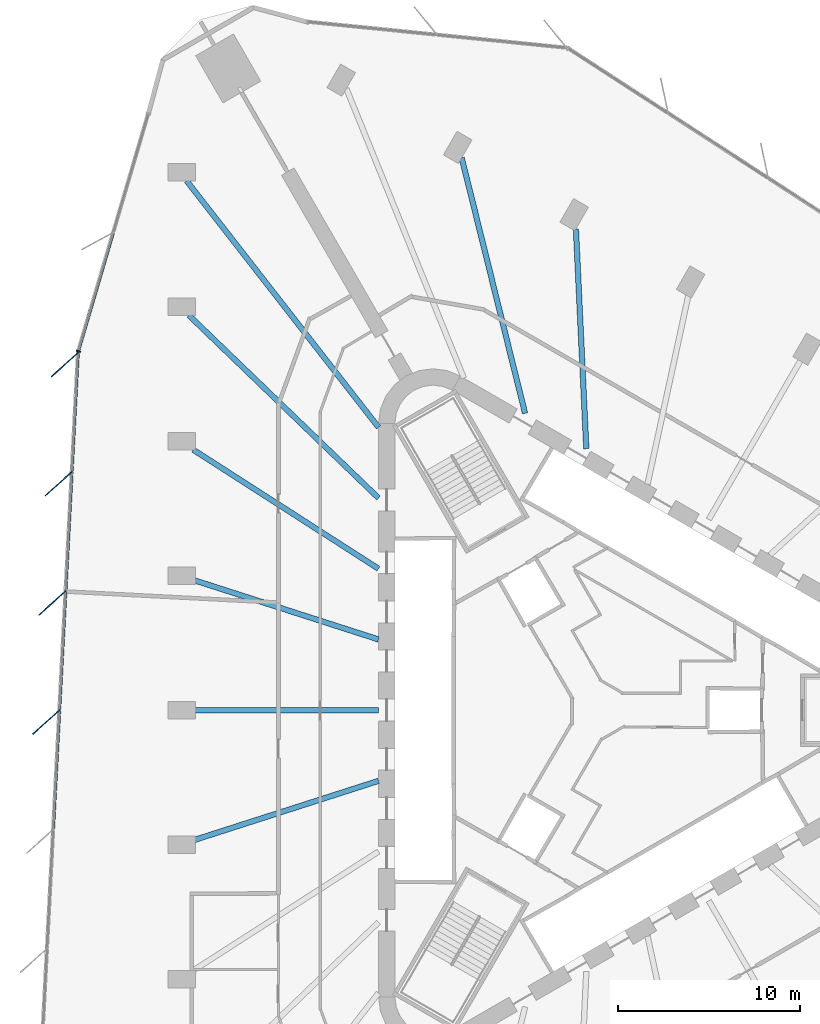
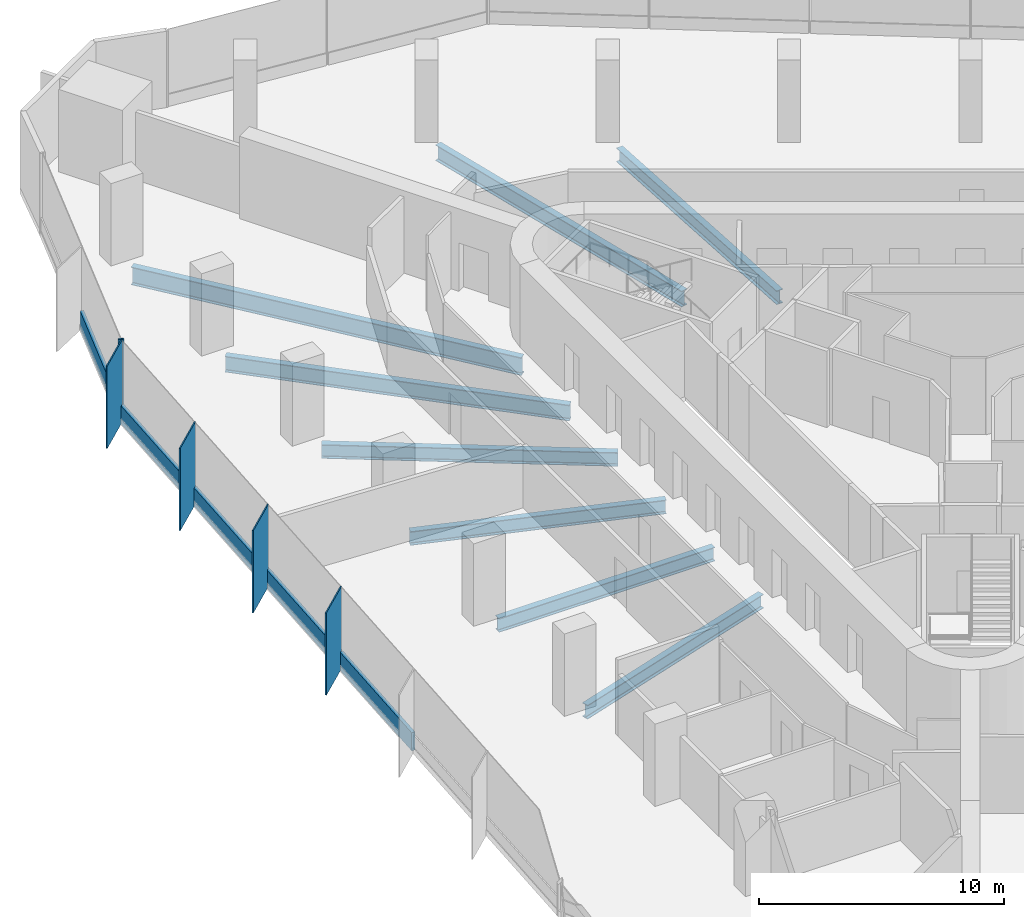
# One storey, part 4 of 14: 10 members, 8 beams, 2 elements without a shape of their own.
"""IFC4 building model written with IfcOpenShell, lengths in metres."""

from ifc_helpers import new_model, si_unit, direction, frame, origin, origin_2d, place, context, subcontext, project, spatial, rectangle, i_section, extrude, material, material_profile, profile_set, type_object, element, aggregate, save


model = new_model("IFC4")

# Units and contexts
model_context = context("Model", 3, precision=1e-05, world=origin(), true_north=direction((0.0, 1.0)))
body_context = subcontext(model_context, "Body", "Model", "MODEL_VIEW")
ifc_project = project(units=[si_unit("LENGTHUNIT", "METRE"), si_unit("AREAUNIT", "SQUARE_METRE"), si_unit("VOLUMEUNIT", "CUBIC_METRE"), si_unit("PLANEANGLEUNIT", "RADIAN"), si_unit("MASSUNIT", "GRAM", prefix="KILO")], contexts=[model_context])

# Site, building, storey
site_placement = place(None, origin())
site = spatial("IfcSite", under=ifc_project, at=site_placement, CompositionType="ELEMENT")
building_placement = place(site_placement, origin())
building = spatial("IfcBuilding", under=site, at=building_placement, Name="Tanit Gate Tower", CompositionType="ELEMENT")
storey_placement = place(building_placement, frame((0.0, 0.0, 107.0)))
storey = spatial("IfcBuildingStorey", under=building, at=storey_placement, Name="L22", CompositionType="ELEMENT", Elevation=107.0)

# Curtain wall, members
ifc_material_1 = material(Name="Aluminium bronze anodised and glass", Category="aluminium")
curtain_wall_type = type_object("IfcCurtainWallType", Name="Curtain wall typical low", PredefinedType="NOTDEFINED", material=ifc_material_1)
curtain_wall_1_placement = place(storey_placement, origin())
curtain_wall_1 = element("IfcCurtainWall", 1, at=curtain_wall_1_placement, inside=storey, type_object=curtain_wall_type, Name="Curtain wall L22 W2", PredefinedType="NOTDEFINED")
ifc_material_2 = material(Name="Aluminium bronze anodised", Category="aluminium")
ifc_material_profile_1 = material_profile(ifc_material_2, rectangle(XDim=2.0, YDim=0.055908203125, at=origin_2d()), Name="56x2000 bronze fin mullion")
ifc_profile_set_1 = profile_set([ifc_material_profile_1], Name="Aluminium bronze anodised")
member_type_1 = type_object("IfcMemberType", Name="FIN MULLION 56x2000 bronze", PredefinedType="MULLION", material=ifc_profile_set_1)
member_1_placement = place(storey_placement, frame((-29.337890625, 18.993408203125, -0.300048828125), z_axis=(0.0, 0.0, 1.0), x_axis=(0.742921658135, 0.669378375715, 0.0)))
member_1 = element("IfcMember", 2, at=member_1_placement, type_object=member_type_1, Name="Fin mullion L22 W2.1", PredefinedType="MULLION", context=body_context, shape_type="SweptSolid", body=[
    extrude(rectangle(XDim=2.0, YDim=0.055908203125, at=origin_2d()), origin(), (0.0, 0.0, 1.0), 4.10009765625),
])
member_2_placement = place(storey_placement, frame((-29.6787109375, 12.444580078125, -0.300048828125), z_axis=(0.0, 0.0, 1.0), x_axis=(0.742921658135, 0.669378375715, 0.0)))
member_2 = element("IfcMember", 3, at=member_2_placement, type_object=member_type_1, Name="Fin mullion L22 W2.2", PredefinedType="MULLION", context=body_context, shape_type="SweptSolid", body=[
    extrude(rectangle(XDim=2.0, YDim=0.055908203125, at=origin_2d()), origin(), (0.0, 0.0, 1.0), 4.10009765625),
])
member_3_placement = place(storey_placement, frame((-30.019775390625, 5.895751953125, -0.300048828125), z_axis=(0.0, 0.0, 1.0), x_axis=(0.742921658135, 0.669378375715, 0.0)))
member_3 = element("IfcMember", 4, at=member_3_placement, type_object=member_type_1, Name="Fin mullion L22 W2.3", PredefinedType="MULLION", context=body_context, shape_type="SweptSolid", body=[
    extrude(rectangle(XDim=2.0, YDim=0.055908203125, at=origin_2d()), origin(), (0.0, 0.0, 1.0), 4.10009765625),
])
member_4_placement = place(storey_placement, frame((-30.36083984375, -0.653076171875, -0.300048828125), z_axis=(0.0, 0.0, 1.0), x_axis=(0.742921658135, 0.669378375715, 0.0)))
member_4 = element("IfcMember", 5, at=member_4_placement, type_object=member_type_1, Name="Fin mullion L22 W2.4", PredefinedType="MULLION", context=body_context, shape_type="SweptSolid", body=[
    extrude(rectangle(XDim=2.0, YDim=0.055908203125, at=origin_2d()), origin(), (0.0, 0.0, 1.0), 4.10009765625),
])

# Curtain wall, member
curtain_wall_2_placement = place(storey_placement, origin())
curtain_wall_2 = element("IfcCurtainWall", 6, at=curtain_wall_2_placement, inside=storey, type_object=curtain_wall_type, Name="Curtain wall L22 W1", PredefinedType="NOTDEFINED")
ifc_material_3 = material(Name="Aluminium bronze anodised", Category="aluminium")
ifc_material_profile_2 = material_profile(ifc_material_3, rectangle(XDim=0.239990234375, YDim=0.080078125, at=origin_2d()), Name="80x240 bronze mullion")
ifc_profile_set_2 = profile_set([ifc_material_profile_2], Name="Aluminium bronze anodised")
member_type_2 = type_object("IfcMemberType", Name="Mullion 80x240 typical low", PredefinedType="MULLION", material=ifc_profile_set_2)
member_5_placement = place(storey_placement, frame((-28.598388671875, 19.72607421875, -0.300048828125), z_axis=(0.0, 0.0, 1.0), x_axis=(0.959260043832, -0.282524633098, 0.0)))
member_5 = element("IfcMember", 7, at=member_5_placement, type_object=member_type_2, Name="Mullion L22 W1.3", PredefinedType="MULLION", context=body_context, shape_type="SweptSolid", body=[
    extrude(rectangle(XDim=0.239990234375, YDim=0.080078125, at=origin_2d()), origin(), (0.0, 0.0, 1.0), 4.10009765625),
])

# Beams
ifc_material_4 = material(Name="Steel S355", Category="steel")
ifc_material_profile_3 = material_profile(ifc_material_4, i_section(OverallWidth=0.300048828125, OverallDepth=0.68994140625, WebThickness=0.014404296875, FlangeThickness=0.027099609375, FilletRadius=0.027099609375, at=origin_2d()), Name="HEA 700")
ifc_profile_set_3 = profile_set([ifc_material_profile_3], Name="Steel S355")
beam_type_1 = type_object("IfcBeamType", Name="RADIAL GIRDER HEA 700 S355", PredefinedType="BEAM", material=ifc_profile_set_3)
beam_1_placement = place(storey_placement, frame((-22.267822265625, -7.150634765625, -0.64501953125), z_axis=(0.952108228796, 0.305761215098, 0.0), x_axis=(-0.305761215098, 0.952108228796, 0.0)))
element("IfcBeam", 8, at=beam_1_placement, inside=storey, type_object=beam_type_1, Name="RADIAL GIRDER", PredefinedType="BEAM", context=body_context, shape_type="SweptSolid", body=[
    extrude(i_section(OverallWidth=0.300048828125, OverallDepth=0.68994140625, WebThickness=0.014404296875, FlangeThickness=0.027099609375, FilletRadius=0.027099609375, at=origin_2d()), origin(), (0.0, 0.0, 1.0), 10.677001953125),
])
for number, where, z_axis, x_axis, name in (
    (9, (-1.251708984375, 26.447509765625, -0.64501953125), (0.047276464158, -0.998881842831, 0.0), (0.998881842831, 0.047276464158, 0.0), "RADIAL GIRDER"),
    (10, (-22.2783203125, 14.307861328125, -0.64501953125), (0.841413200644, -0.540392288788, 0.0), (0.540392288788, 0.841413200644, 0.0), "RADIAL GIRDER"),
):
    element("IfcBeam", number, at=place(storey_placement, frame(where, z_axis=z_axis, x_axis=x_axis)), inside=storey, type_object=beam_type_1, Name=name, PredefinedType="BEAM", context=body_context, shape_type="SweptSolid", body=[
        extrude(i_section(OverallWidth=0.300048828125, OverallDepth=0.68994140625, WebThickness=0.014404296875, FlangeThickness=0.027099609375, FilletRadius=0.027099609375, at=origin_2d()), origin(), (0.0, 0.0, 1.0), 12.09423828125),
    ])
beam_2_placement = place(storey_placement, frame((-22.267822265625, 7.150634765625, -0.64501953125), z_axis=(0.952108228796, -0.305761215098, 0.0), x_axis=(0.305761215098, 0.952108228796, 0.0)))
element("IfcBeam", 11, at=beam_2_placement, inside=storey, type_object=beam_type_1, Name="RADIAL GIRDER", PredefinedType="BEAM", context=body_context, shape_type="SweptSolid", body=[
    extrude(i_section(OverallWidth=0.300048828125, OverallDepth=0.68994140625, WebThickness=0.014404296875, FlangeThickness=0.027099609375, FilletRadius=0.027099609375, at=origin_2d()), origin(), (0.0, 0.0, 1.0), 10.677001953125),
])
beam_3_placement = place(storey_placement, frame((-22.267822265625, 0.0, -0.64501953125), z_axis=(1.0, 0.0, 0.0), x_axis=(0.0, 1.0, 0.0)))
element("IfcBeam", 12, at=beam_3_placement, inside=storey, type_object=beam_type_1, Name="RADIAL GIRDER", PredefinedType="BEAM", context=body_context, shape_type="SweptSolid", body=[
    extrude(i_section(OverallWidth=0.300048828125, OverallDepth=0.68994140625, WebThickness=0.014404296875, FlangeThickness=0.027099609375, FilletRadius=0.027099609375, at=origin_2d()), origin(), (0.0, 0.0, 1.0), 10.165771484375),
])
ifc_material_5 = material(Name="Steel S355", Category="steel")
ifc_material_profile_4 = material_profile(ifc_material_5, i_section(OverallWidth=0.300048828125, OverallDepth=0.7900390625, WebThickness=0.014892578125, FlangeThickness=0.028076171875, FilletRadius=0.030029296875, at=origin_2d()), Name="HEA 800")
ifc_profile_set_4 = profile_set([ifc_material_profile_4], Name="Steel S355")
beam_type_2 = type_object("IfcBeamType", Name="RADIAL GIRDER HEA 800 S355", PredefinedType="BEAM", material=ifc_profile_set_4)
beam_4_placement = place(storey_placement, frame((-7.52978515625, 30.356689453125, -0.695068359375), z_axis=(0.240757007067, -0.970585423107, 0.0), x_axis=(0.970585423107, 0.240757007067, 0.0)))
element("IfcBeam", 13, at=beam_4_placement, inside=storey, type_object=beam_type_2, Name="RADIAL GIRDER", PredefinedType="BEAM", context=body_context, shape_type="SweptSolid", body=[
    extrude(i_section(OverallWidth=0.300048828125, OverallDepth=0.7900390625, WebThickness=0.014892578125, FlangeThickness=0.028076171875, FilletRadius=0.030029296875, at=origin_2d()), origin(), (0.0, 0.0, 1.0), 14.47265625),
])
beam_5_placement = place(storey_placement, frame((-22.52490234375, 21.69921875, -0.695068359375), z_axis=(0.720183780424, -0.693783339677, 0.0), x_axis=(0.693783339677, 0.720183780424, 0.0)))
element("IfcBeam", 14, at=beam_5_placement, inside=storey, type_object=beam_type_2, Name="RADIAL GIRDER", PredefinedType="BEAM", context=body_context, shape_type="SweptSolid", body=[
    extrude(i_section(OverallWidth=0.300048828125, OverallDepth=0.7900390625, WebThickness=0.014892578125, FlangeThickness=0.028076171875, FilletRadius=0.030029296875, at=origin_2d()), origin(), (0.0, 0.0, 1.0), 14.472412109375),
])
ifc_material_6 = material(Name="Steel S355", Category="steel")
ifc_material_profile_5 = material_profile(ifc_material_6, i_section(OverallWidth=0.300048828125, OverallDepth=0.889892578125, WebThickness=0.01611328125, FlangeThickness=0.030029296875, FilletRadius=0.030029296875, at=origin_2d()), Name="HEA 900")
ifc_profile_set_5 = profile_set([ifc_material_profile_5], Name="Steel S355")
beam_type_3 = type_object("IfcBeamType", Name="RADIAL GIRDER HEA 900 S355", PredefinedType="BEAM", material=ifc_profile_set_5)
beam_6_placement = place(storey_placement, frame((-22.648193359375, 29.0908203125, -0.7451171875), z_axis=(0.614312702857, -0.789062673752, 0.0), x_axis=(0.789062673752, 0.614312702857, 0.0)))
element("IfcBeam", 15, at=beam_6_placement, inside=storey, type_object=beam_type_3, Name="RADIAL GIRDER", PredefinedType="BEAM", context=body_context, shape_type="SweptSolid", body=[
    extrude(i_section(OverallWidth=0.300048828125, OverallDepth=0.889892578125, WebThickness=0.01611328125, FlangeThickness=0.030029296875, FilletRadius=0.030029296875, at=origin_2d()), origin(), (0.0, 0.0, 1.0), 17.16748046875),
])

# Member
ifc_material_7 = material(Name="Aluminium bronze anodised", Category="aluminium")
ifc_material_profile_6 = material_profile(ifc_material_7, rectangle(XDim=0.159912109375, YDim=0.89990234375, at=origin_2d()), Name="160x900 bronze transom")
ifc_profile_set_6 = profile_set([ifc_material_profile_6], Name="Aluminium bronze anodised")
member_type_3 = type_object("IfcMemberType", Name="Transom 160x900 typical low", PredefinedType="USERDEFINED", material=ifc_profile_set_6)
member_6_placement = place(storey_placement, frame((-26.687744140625, 26.212646484375, 0.14990234375), z_axis=(-0.282526140656, -0.95925959982, 0.0), x_axis=(0.95925959982, -0.282526140656, 0.0)))
member_6 = element("IfcMember", 16, at=member_6_placement, type_object=member_type_3, Name="Transom L22 W1.2", ObjectType="TRANSOM", PredefinedType="USERDEFINED", context=body_context, shape_type="SweptSolid", body=[
    extrude(rectangle(XDim=0.159912109375, YDim=0.89990234375, at=origin_2d()), origin(), (0.0, 0.0, 1.0), 6.72216796875),
])

aggregate(curtain_wall_2, [member_5, member_6])

member_7_placement = place(storey_placement, frame((-28.61376953125, 19.607666015625, 0.14990234375), z_axis=(-0.05201283419, -0.998646416446, 0.0), x_axis=(0.998646416446, -0.05201283419, 0.0)))
member_7 = element("IfcMember", 17, at=member_7_placement, type_object=member_type_3, Name="Transom L22 W2.1", ObjectType="TRANSOM", PredefinedType="USERDEFINED", context=body_context, shape_type="SweptSolid", body=[
    extrude(rectangle(XDim=0.159912109375, YDim=0.89990234375, at=origin_2d()), origin(), (0.0, 0.0, 1.0), 6.4775390625),
])

member_8_placement = place(storey_placement, frame((-28.954833984375, 13.058837890625, 0.14990234375), z_axis=(-0.05201283419, -0.998646416446, 0.0), x_axis=(0.998646416446, -0.05201283419, 0.0)))
member_8 = element("IfcMember", 18, at=member_8_placement, type_object=member_type_3, Name="Transom L22 W2.2", ObjectType="TRANSOM", PredefinedType="USERDEFINED", context=body_context, shape_type="SweptSolid", body=[
    extrude(rectangle(XDim=0.159912109375, YDim=0.89990234375, at=origin_2d()), origin(), (0.0, 0.0, 1.0), 6.4775390625),
])

member_9_placement = place(storey_placement, frame((-29.2958984375, 6.510009765625, 0.14990234375), z_axis=(-0.051975245585, -0.998648373476, 0.0), x_axis=(0.998648373476, -0.051975245585, 0.0)))
member_9 = element("IfcMember", 19, at=member_9_placement, type_object=member_type_3, Name="Transom L22 W2.3", ObjectType="TRANSOM", PredefinedType="USERDEFINED", context=body_context, shape_type="SweptSolid", body=[
    extrude(rectangle(XDim=0.159912109375, YDim=0.89990234375, at=origin_2d()), origin(), (0.0, 0.0, 1.0), 6.4775390625),
])

member_10_placement = place(storey_placement, frame((-29.63671875, -0.038818359375, 0.14990234375), z_axis=(-0.05201283419, -0.998646416446, 0.0), x_axis=(0.998646416446, -0.05201283419, 0.0)))
member_10 = element("IfcMember", 20, at=member_10_placement, type_object=member_type_3, Name="Transom L22 W2.4", ObjectType="TRANSOM", PredefinedType="USERDEFINED", context=body_context, shape_type="SweptSolid", body=[
    extrude(rectangle(XDim=0.159912109375, YDim=0.89990234375, at=origin_2d()), origin(), (0.0, 0.0, 1.0), 6.4775390625),
])

aggregate(curtain_wall_1, [member_1, member_2, member_3, member_4, member_7, member_8, member_9, member_10])

save(model, "model.ifc")
